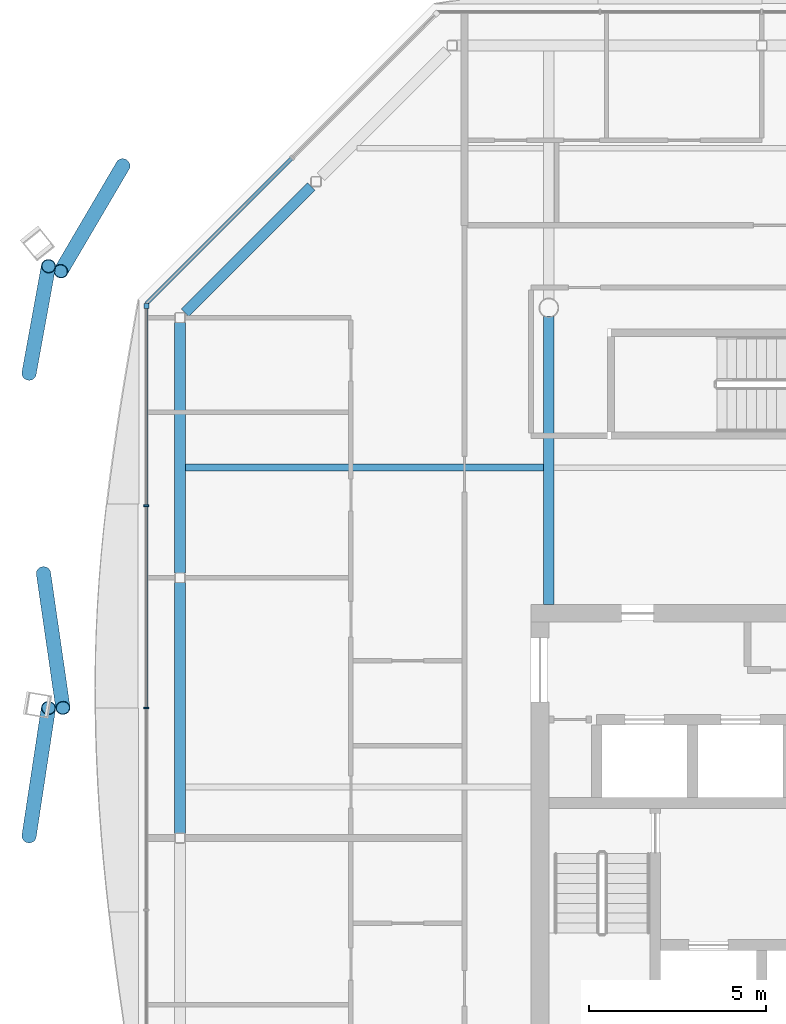
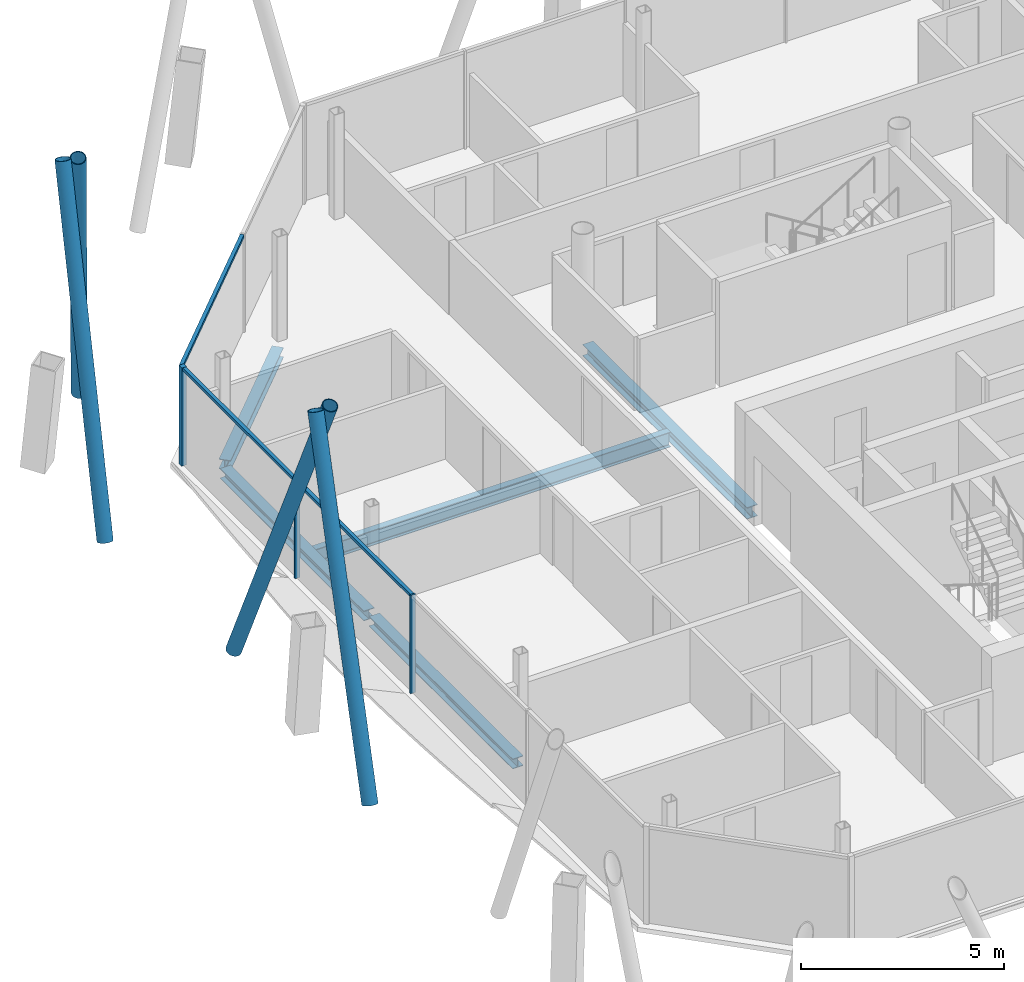
# One storey, part 5 of 16: 10 members, 5 beams, 2 elements without a shape of their own.
"""IFC4 building model written with IfcOpenShell, lengths in metres."""

from ifc_helpers import new_model, si_unit, direction, frame, origin, origin_2d, place, context, subcontext, project, spatial, rectangle, hollow_circle, i_section, extrude, material, material_profile, profile_set, type_object, element, aggregate, save


model = new_model("IFC4")

# Units and contexts
model_context = context("Model", 3, precision=1e-05, world=origin(), true_north=direction((0.0, 1.0)))
body_context = subcontext(model_context, "Body", "Model", "MODEL_VIEW")
ifc_project = project(units=[si_unit("LENGTHUNIT", "METRE"), si_unit("AREAUNIT", "SQUARE_METRE"), si_unit("VOLUMEUNIT", "CUBIC_METRE"), si_unit("PLANEANGLEUNIT", "RADIAN"), si_unit("MASSUNIT", "GRAM", prefix="KILO")], contexts=[model_context])

# Site, building, storey
site_placement = place(None, origin())
site = spatial("IfcSite", under=ifc_project, at=site_placement, CompositionType="ELEMENT")
building_placement = place(site_placement, origin())
building = spatial("IfcBuilding", under=site, at=building_placement, Name="Tskaro Facet Tower", CompositionType="ELEMENT")
storey_placement = place(building_placement, frame((0.0, 0.0, 245.550048828125)))
storey = spatial("IfcBuildingStorey", under=building, at=storey_placement, Name="L64", CompositionType="ELEMENT", Elevation=245.550048828125)

# Members
ifc_material_1 = material(Name="Steel S355J2H", Category="steel")
ifc_material_profile_1 = material_profile(ifc_material_1, hollow_circle(Radius=0.203125, WallThickness=0.02001953125, at=origin_2d()), Name="CHS 406.4x20")
ifc_profile_set_1 = profile_set([ifc_material_profile_1], Name="Steel S355J2H")
member_type_1 = type_object("IfcMemberType", Name="CHS 406.4x20 brace", PredefinedType="BRACE", material=ifc_profile_set_1)
member_1_placement = place(storey_placement, frame((-20.99951171875, 13.009521484375, 0.0), z_axis=(-0.173911453254, -0.295918818534, 0.939248028619), x_axis=(0.86213587545, -0.506677147958, 0.0)))
element("IfcMember", 1, at=member_1_placement, inside=storey, type_object=member_type_1, Name="CHS 406.4x20 XB09A/5", PredefinedType="BRACE", context=body_context, shape_type="SweptSolid", body=[
    extrude(hollow_circle(Radius=0.203125, WallThickness=0.02001953125, at=origin_2d()), origin(), (0.0, 0.0, 1.0), 10.061279296875),
])
member_2_placement = place(storey_placement, frame((-23.23779296875, 1.520263671875, 0.0), z_axis=(0.053751501851, -0.371807159127, 0.926752508748), x_axis=(0.989711015465, 0.143080766934, 0.0)))
element("IfcMember", 2, at=member_2_placement, inside=storey, type_object=member_type_1, Name="CHS 406.4x20 XB10A/5", PredefinedType="BRACE", context=body_context, shape_type="SweptSolid", body=[
    extrude(hollow_circle(Radius=0.203125, WallThickness=0.02001953125, at=origin_2d()), origin(), (0.0, 0.0, 1.0), 10.19677734375),
])
member_3_placement = place(storey_placement, frame((-23.644287109375, 7.15380859375, 0.0), z_axis=(0.055159346948, 0.30415035896, 0.951025764945), x_axis=(-0.983949932711, 0.178444753125, 0.0)))
element("IfcMember", 3, at=member_3_placement, inside=storey, type_object=member_type_1, Name="CHS 406.4x20 XB10B/5", PredefinedType="BRACE", context=body_context, shape_type="SweptSolid", body=[
    extrude(hollow_circle(Radius=0.203125, WallThickness=0.02001953125, at=origin_2d()), origin(), (0.0, 0.0, 1.0), 9.9365234375),
])
member_4_placement = place(storey_placement, frame((-23.644287109375, -5.88330078125, 0.0), z_axis=(0.054097273062, 0.356535969811, 0.932714097287), x_axis=(-0.988683991318, 0.15001321712, 0.0)))
element("IfcMember", 4, at=member_4_placement, inside=storey, type_object=member_type_1, Name="CHS 406.4x20 XB11B/5", PredefinedType="BRACE", context=body_context, shape_type="SweptSolid", body=[
    extrude(hollow_circle(Radius=0.203125, WallThickness=0.02001953125, at=origin_2d()), origin(), (0.0, 0.0, 1.0), 10.131591796875),
])

# Curtain wall, members
ifc_material_2 = material(Name="Bronze anodised aluminium 6063-T6", Category="aluminium")
curtain_wall_type = type_object("IfcCurtainWallType", Name="Bronze residence curtain wall (FW3)", PredefinedType="NOTDEFINED", material=ifc_material_2)
curtain_wall_1_placement = place(storey_placement, origin())
curtain_wall_1 = element("IfcCurtainWall", 5, at=curtain_wall_1_placement, inside=storey, type_object=curtain_wall_type, Name="FW3 west facet L64", PredefinedType="NOTDEFINED")
ifc_material_profile_2 = material_profile(ifc_material_2, rectangle(XDim=0.139892578125, YDim=0.139892578125, at=origin_2d()), Name="Corner post 140x140")
ifc_profile_set_2 = profile_set([ifc_material_profile_2], Name="Bronze anodised aluminium 6063-T6")
member_type_2 = type_object("IfcMemberType", Name="FW3 bronze corner post 140x140", PredefinedType="MULLION", material=ifc_profile_set_2)
member_5_placement = place(storey_placement, frame((-20.341064453125, 9.048095703125, 0.0), z_axis=(0.0, 0.0, 1.0), x_axis=(0.0, -1.0, 0.0)))
member_5 = element("IfcMember", 6, at=member_5_placement, type_object=member_type_2, Name="FW3 west corner post", PredefinedType="MULLION", context=body_context, shape_type="SweptSolid", body=[
    extrude(rectangle(XDim=0.139892578125, YDim=0.139892578125, at=origin_2d()), origin(), (0.0, 0.0, 1.0), 2.949951171875),
])
ifc_material_profile_3 = material_profile(ifc_material_2, rectangle(XDim=0.050048828125, YDim=0.139892578125, at=origin_2d()), Name="Mullion 50x140")
ifc_profile_set_3 = profile_set([ifc_material_profile_3], Name="Bronze anodised aluminium 6063-T6")
member_type_3 = type_object("IfcMemberType", Name="FW3 bronze mullion 50x140", PredefinedType="MULLION", material=ifc_profile_set_3)
member_6_placement = place(storey_placement, frame((-20.341064453125, 3.42333984375, 0.0), z_axis=(0.0, 0.0, 1.0), x_axis=(0.0, -1.0, 0.0)))
member_6 = element("IfcMember", 7, at=member_6_placement, type_object=member_type_3, Name="FW3 west mullion 1", PredefinedType="MULLION", context=body_context, shape_type="SweptSolid", body=[
    extrude(rectangle(XDim=0.050048828125, YDim=0.139892578125, at=origin_2d()), origin(), (0.0, 0.0, 1.0), 2.949951171875),
])
member_7_placement = place(storey_placement, frame((-20.341064453125, -2.271484375, 0.0), z_axis=(0.0, 0.0, 1.0), x_axis=(0.0, -1.0, 0.0)))
member_7 = element("IfcMember", 8, at=member_7_placement, type_object=member_type_3, Name="FW3 west mullion 2", PredefinedType="MULLION", context=body_context, shape_type="SweptSolid", body=[
    extrude(rectangle(XDim=0.050048828125, YDim=0.139892578125, at=origin_2d()), origin(), (0.0, 0.0, 1.0), 2.949951171875),
])

# Curtain wall, member
curtain_wall_2_placement = place(storey_placement, origin())
curtain_wall_2 = element("IfcCurtainWall", 9, at=curtain_wall_2_placement, inside=storey, type_object=curtain_wall_type, Name="FW3 north-west facet L64", PredefinedType="NOTDEFINED")
ifc_material_profile_4 = material_profile(ifc_material_2, rectangle(XDim=0.10009765625, YDim=0.090087890625, at=origin_2d()), Name="Transom 100x90")
ifc_profile_set_4 = profile_set([ifc_material_profile_4], Name="Bronze anodised aluminium 6063-T6")
member_type_4 = type_object("IfcMemberType", Name="FW3 bronze transom 100x90", PredefinedType="USERDEFINED", material=ifc_profile_set_4)
member_8_placement = place(storey_placement, frame((-16.2470703125, 13.2119140625, 2.905029296875), z_axis=(-0.707106781187, -0.707106781187, 0.0), x_axis=(0.707106781187, -0.707106781187, 0.0)))
member_8 = element("IfcMember", 10, at=member_8_placement, type_object=member_type_4, Name="FW3 north-west transom 2.1", ObjectType="TRANSOM", PredefinedType="USERDEFINED", context=body_context, shape_type="SweptSolid", body=[
    extrude(rectangle(XDim=0.10009765625, YDim=0.090087890625, at=origin_2d()), origin(), (0.0, 0.0, 1.0), 5.789794921875),
])
aggregate(curtain_wall_2, [member_8])

# Member
member_9_placement = place(storey_placement, frame((-20.341064453125, 8.97802734375, 2.905029296875), z_axis=(0.0, -1.0, 0.0), x_axis=(1.0, 0.0, 0.0)))
member_9 = element("IfcMember", 11, at=member_9_placement, type_object=member_type_4, Name="FW3 west transom 1.1", ObjectType="TRANSOM", PredefinedType="USERDEFINED", context=body_context, shape_type="SweptSolid", body=[
    extrude(rectangle(XDim=0.10009765625, YDim=0.090087890625, at=origin_2d()), origin(), (0.0, 0.0, 1.0), 5.52978515625),
])

member_10_placement = place(storey_placement, frame((-20.341064453125, 3.398193359375, 2.905029296875), z_axis=(0.0, -1.0, 0.0), x_axis=(1.0, 0.0, 0.0)))
member_10 = element("IfcMember", 12, at=member_10_placement, type_object=member_type_4, Name="FW3 west transom 2.1", ObjectType="TRANSOM", PredefinedType="USERDEFINED", context=body_context, shape_type="SweptSolid", body=[
    extrude(rectangle(XDim=0.10009765625, YDim=0.090087890625, at=origin_2d()), origin(), (0.0, 0.0, 1.0), 5.644775390625),
])

aggregate(curtain_wall_1, [member_5, member_6, member_7, member_9, member_10])

# Beams
ifc_material_3 = material(Name="Steel S355J2", Category="steel")
ifc_material_profile_5 = material_profile(ifc_material_3, i_section(OverallWidth=0.300048828125, OverallDepth=0.300048828125, WebThickness=0.010986328125, FlangeThickness=0.01904296875, FilletRadius=0.027099609375, at=origin_2d()), Name="HE 300 B")
ifc_profile_set_5 = profile_set([ifc_material_profile_5], Name="Steel S355J2")
beam_type_1 = type_object("IfcBeamType", Name="HE 300 B ring beam", PredefinedType="BEAM", material=ifc_profile_set_5)
beam_1_placement = place(storey_placement, frame((-15.69384765625, 12.422119140625, -0.2900390625), z_axis=(-0.707106781187, -0.707106781187, 0.0), x_axis=(0.707106781187, -0.707106781187, 0.0)))
element("IfcBeam", 13, at=beam_1_placement, inside=storey, type_object=beam_type_1, Name="HE 300 B EB13-5", PredefinedType="BEAM", context=body_context, shape_type="SweptSolid", body=[
    extrude(i_section(OverallWidth=0.300048828125, OverallDepth=0.300048828125, WebThickness=0.010986328125, FlangeThickness=0.01904296875, FilletRadius=0.027099609375, at=origin_2d()), origin(), (0.0, 0.0, 1.0), 5.036376953125),
])
beam_2_placement = place(storey_placement, frame((-19.39111328125, 8.594970703125, -0.2900390625), z_axis=(0.0, -1.0, 0.0), x_axis=(1.0, 0.0, 0.0)))
element("IfcBeam", 14, at=beam_2_placement, inside=storey, type_object=beam_type_1, Name="HE 300 B EB14-5", PredefinedType="BEAM", context=body_context, shape_type="SweptSolid", body=[
    extrude(i_section(OverallWidth=0.300048828125, OverallDepth=0.300048828125, WebThickness=0.010986328125, FlangeThickness=0.01904296875, FilletRadius=0.027099609375, at=origin_2d()), origin(), (0.0, 0.0, 1.0), 7.071044921875),
])
beam_3_placement = place(storey_placement, frame((-19.39111328125, 1.263916015625, -0.2900390625), z_axis=(0.0, -1.0, 0.0), x_axis=(1.0, 0.0, 0.0)))
element("IfcBeam", 15, at=beam_3_placement, inside=storey, type_object=beam_type_1, Name="HE 300 B EB15-5", PredefinedType="BEAM", context=body_context, shape_type="SweptSolid", body=[
    extrude(i_section(OverallWidth=0.300048828125, OverallDepth=0.300048828125, WebThickness=0.010986328125, FlangeThickness=0.01904296875, FilletRadius=0.027099609375, at=origin_2d()), origin(), (0.0, 0.0, 1.0), 7.07080078125),
])
ifc_material_profile_6 = material_profile(ifc_material_3, i_section(OverallWidth=0.300048828125, OverallDepth=0.35009765625, WebThickness=0.010009765625, FlangeThickness=0.017578125, FilletRadius=0.027099609375, at=origin_2d()), Name="HE 360 A")
ifc_profile_set_6 = profile_set([ifc_material_profile_6], Name="Steel S355J2")
beam_type_2 = type_object("IfcBeamType", Name="HE 360 A girder", PredefinedType="BEAM", material=ifc_profile_set_6)
beam_4_placement = place(storey_placement, frame((-9.0, 0.64990234375, -0.31494140625), z_axis=(0.0, 1.0, 0.0), x_axis=(-1.0, 0.0, 0.0)))
element("IfcBeam", 16, at=beam_4_placement, inside=storey, type_object=beam_type_2, Name="HE 360 A GB3-2-5", PredefinedType="BEAM", context=body_context, shape_type="SweptSolid", body=[
    extrude(i_section(OverallWidth=0.300048828125, OverallDepth=0.35009765625, WebThickness=0.010009765625, FlangeThickness=0.017578125, FilletRadius=0.027099609375, at=origin_2d()), origin(), (0.0, 0.0, 1.0), 8.1005859375),
])
ifc_material_profile_7 = material_profile(ifc_material_3, i_section(OverallWidth=0.18994140625, OverallDepth=0.449951171875, WebThickness=0.009521484375, FlangeThickness=0.0146484375, FilletRadius=0.02099609375, at=origin_2d()), Name="IPE 450")
ifc_profile_set_7 = profile_set([ifc_material_profile_7], Name="Steel S355J2")
beam_type_3 = type_object("IfcBeamType", Name="IPE 450 long secondary beam", PredefinedType="BEAM", material=ifc_profile_set_7)
beam_5_placement = place(storey_placement, frame((-19.240966796875, 4.5, -0.364990234375), z_axis=(1.0, 0.0, 0.0), x_axis=(0.0, 1.0, 0.0)))
element("IfcBeam", 17, at=beam_5_placement, inside=storey, type_object=beam_type_3, Name="IPE 450 LSB4a-1-5", PredefinedType="BEAM", context=body_context, shape_type="SweptSolid", body=[
    extrude(i_section(OverallWidth=0.18994140625, OverallDepth=0.449951171875, WebThickness=0.009521484375, FlangeThickness=0.0146484375, FilletRadius=0.02099609375, at=origin_2d()), origin(), (0.0, 0.0, 1.0), 10.091064453125),
])

save(model, "model.ifc")
